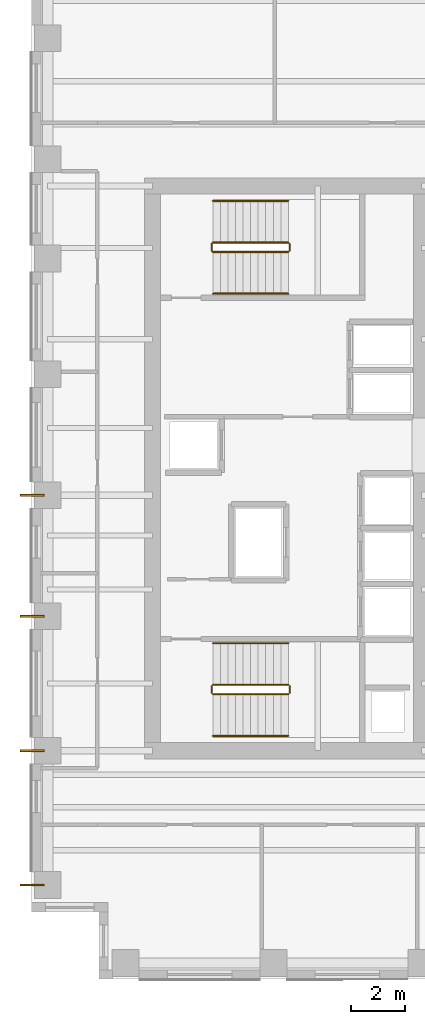
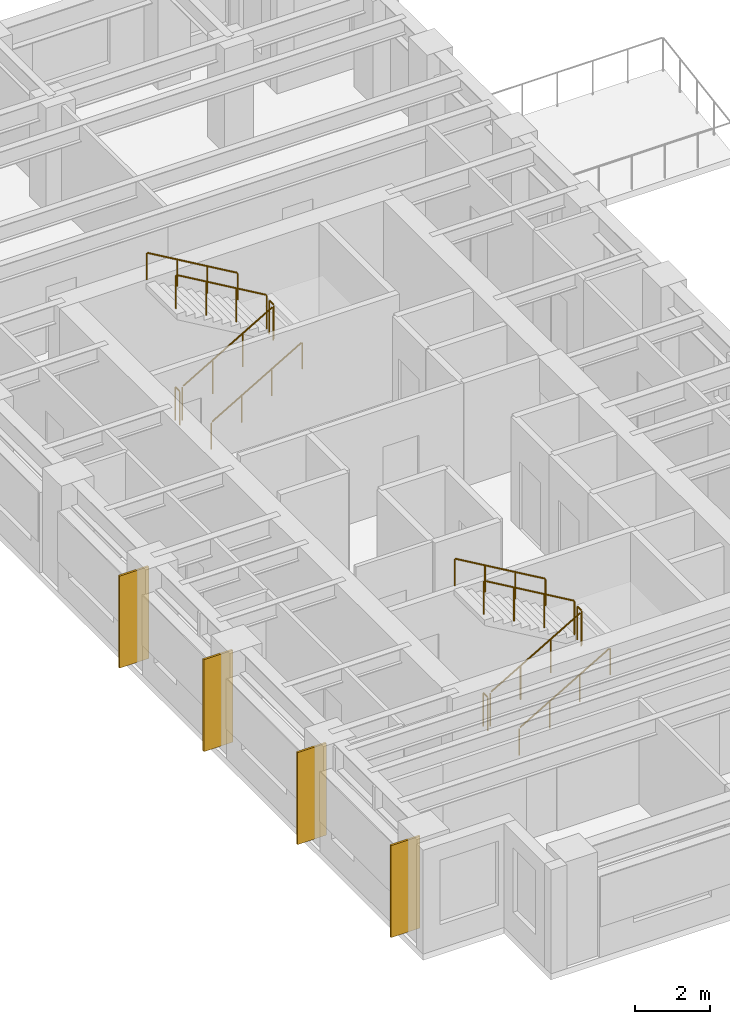
# One storey, part 9 of 10: 12 railings, 4 coverings.
"""IFC4 building model written with IfcOpenShell, lengths in metres."""

from ifc_helpers import new_model, si_unit, direction, frame, origin, origin_2d, place, context, subcontext, project, spatial, rectangle, circle, extrude, source, transform, mapped, material, layer, layer_set, type_object, element, save


model = new_model("IFC4")

# Units and contexts
model_context = context("Model", 3, precision=1e-05, world=origin(), true_north=direction((0.0, 1.0)))
body_context = subcontext(model_context, "Body", "Model", "MODEL_VIEW")
ifc_project = project(units=[si_unit("LENGTHUNIT", "METRE"), si_unit("AREAUNIT", "SQUARE_METRE"), si_unit("VOLUMEUNIT", "CUBIC_METRE"), si_unit("PLANEANGLEUNIT", "RADIAN"), si_unit("MASSUNIT", "GRAM", prefix="KILO")], contexts=[model_context])

# Site, building, storey
site_placement = place(None, origin())
site = spatial("IfcSite", under=ifc_project, at=site_placement, CompositionType="ELEMENT")
building_placement = place(site_placement, origin())
building = spatial("IfcBuilding", under=site, at=building_placement, Name="Kharzan Plaza Tower", CompositionType="ELEMENT")
storey_placement = place(building_placement, frame((0.0, 0.0, 157.5)))
storey = spatial("IfcBuildingStorey", under=building, at=storey_placement, Name="L42", CompositionType="ELEMENT", Elevation=157.5)

# Railings
ifc_material_1 = material(Name="Painted Galvanized Architectural Steel", Category="steel")
ifc_layer_1 = layer(ifc_material_1, 0.074951171875)
ifc_layer_set_1 = layer_set([ifc_layer_1], Name="Painted Galvanized Architectural Steel")
railing_type_1 = type_object("IfcRailingType", Name="RL-GUARD-1120", PredefinedType="BALUSTRADE", material=ifc_layer_set_1)
shared_shape_1 = source(origin(), body_context, "Body", "SweptSolid", [
    extrude(circle(Radius=0.02392578125, at=origin_2d()), frame((0.0, 0.0263671875, 1.09619140625), z_axis=(0.0, 1.0, 0.0), x_axis=(-1.0, 0.0, 0.0)), (0.0, 0.0, 1.0), 0.197021484375),
    extrude(circle(Radius=0.02099609375, at=origin_2d()), origin(), (0.0, 0.0, 1.0), 1.072021484375),
    extrude(circle(Radius=0.02099609375, at=origin_2d()), frame((0.0, 0.25, 0.0)), (0.0, 0.0, 1.0), 1.072021484375),
])
for number, where, name in (
    (1, (9.60009765625, 10.64990234375, 1.800048828125), "L42 ST-1 stair guard 2"),
    (2, (6.699951171875, 10.64990234375, 0.0), "L42 ST-1 stair guard 4"),
    (3, (9.60009765625, 27.10009765625, 1.800048828125), "L42 ST-2 stair guard 2"),
    (4, (6.699951171875, 27.10009765625, 0.0), "L42 ST-2 stair guard 4"),
):
    element("IfcRailing", number, at=place(storey_placement, frame(where)), inside=storey, type_object=railing_type_1, Name=name, PredefinedType="BALUSTRADE", context=body_context, shape_type="MappedRepresentation", body=[
        mapped(shared_shape_1, transform((0.0, 0.0, 0.0), x_axis=(1.0, 0.0, 0.0), y_axis=(0.0, 1.0, 0.0), z_axis=(0.0, 0.0, 1.0))),
    ])

# Coverings
ifc_material_2 = material(Name="Honed Riyadh Limestone", Category="masonry")
ifc_layer_2 = layer(ifc_material_2, 0.06005859375)
ifc_layer_set_2 = layer_set([ifc_layer_2], Name="Honed Riyadh Limestone")
covering_type = type_object("IfcCoveringType", Name="COV-CLAD-STONE", PredefinedType="CLADDING", material=ifc_layer_set_2)
shared_shape_2 = source(origin(), body_context, "Body", "SweptSolid", [
    extrude(rectangle(XDim=0.06005859375, YDim=0.89990234375, at=origin_2d()), origin(), (0.0, 0.0, 1.0), 3.0),
])
for number, where, z_axis, x_axis, name in (
    (5, (0.02001953125, 13.5, 0.10009765625), (0.0, 0.0, 1.0), (0.0, 1.0, 0.0), "L42 Limestone Pier Rainscreen Cladding TCW-135"),
    (6, (0.02001953125, 18.0, 0.10009765625), (0.0, 0.0, 1.0), (0.0, 1.0, 0.0), "L42 Limestone Pier Rainscreen Cladding TCW-180"),
    (7, (0.02001953125, 3.5, 0.10009765625), (0.0, 0.0, 1.0), (0.0, 1.0, 0.0), "L42 Limestone Pier Rainscreen Cladding TCW-35"),
    (8, (0.02001953125, 8.5, 0.10009765625), (0.0, 0.0, 1.0), (0.0, 1.0, 0.0), "L42 Limestone Pier Rainscreen Cladding TCW-85"),
):
    element("IfcCovering", number, at=place(storey_placement, frame(where, z_axis=z_axis, x_axis=x_axis)), inside=storey, type_object=covering_type, Name=name, PredefinedType="CLADDING", context=body_context, shape_type="MappedRepresentation", body=[
        mapped(shared_shape_2, transform((0.0, 0.0, 0.0), x_axis=(1.0, 0.0, 0.0), y_axis=(0.0, 1.0, 0.0), z_axis=(0.0, 0.0, 1.0))),
    ])

# Railings
shared_shape_3 = source(origin(), body_context, "Body", "SweptSolid", [
    extrude(circle(Radius=0.02392578125, at=origin_2d()), frame((0.02294921875, 0.0, 1.109375), z_axis=(0.863360870873, 0.0, 0.504586966384), x_axis=(0.0, 1.0, 0.0)), (0.0, 0.0, 1.0), 3.190185546875),
    extrude(circle(Radius=0.02099609375, at=origin_2d()), origin(), (0.0, 0.0, 1.0), 1.072021484375),
    extrude(circle(Radius=0.02099609375, at=origin_2d()), frame((0.933349609375, 0.0, 0.54541015625)), (0.0, 0.0, 1.0), 1.072021484375),
    extrude(circle(Radius=0.02099609375, at=origin_2d()), frame((1.86669921875, 0.0, 1.091064453125)), (0.0, 0.0, 1.0), 1.072021484375),
    extrude(circle(Radius=0.02099609375, at=origin_2d()), frame((2.800048828125, 0.0, 1.636474609375)), (0.0, 0.0, 1.0), 1.072021484375),
])
for number, where, name in (
    (9, (6.75, 10.60009765625, 0.16357421875), "L42 ST-1 stair guard 1"),
    (10, (6.75, 27.050048828125, 0.16357421875), "L42 ST-2 stair guard 1"),
):
    element("IfcRailing", number, at=place(storey_placement, frame(where)), inside=storey, type_object=railing_type_1, Name=name, PredefinedType="BALUSTRADE", context=body_context, shape_type="MappedRepresentation", body=[
        mapped(shared_shape_3, transform((0.0, 0.0, 0.0), x_axis=(1.0, 0.0, 0.0), y_axis=(0.0, 1.0, 0.0), z_axis=(0.0, 0.0, 1.0))),
    ])
shared_shape_4 = source(origin(), body_context, "Body", "SweptSolid", [
    extrude(circle(Radius=0.02392578125, at=origin_2d()), frame((-0.02294921875, 0.0, 1.109375), z_axis=(-0.863360870873, 0.0, 0.504586966384), x_axis=(0.0, -1.0, 0.0)), (0.0, 0.0, 1.0), 3.190185546875),
    extrude(circle(Radius=0.02099609375, at=origin_2d()), origin(), (0.0, 0.0, 1.0), 1.072021484375),
    extrude(circle(Radius=0.02099609375, at=origin_2d()), frame((-0.933349609375, 0.0, 0.54541015625)), (0.0, 0.0, 1.0), 1.072021484375),
    extrude(circle(Radius=0.02099609375, at=origin_2d()), frame((-1.86669921875, 0.0, 1.091064453125)), (0.0, 0.0, 1.0), 1.072021484375),
    extrude(circle(Radius=0.02099609375, at=origin_2d()), frame((-2.800048828125, 0.0, 1.636474609375)), (0.0, 0.0, 1.0), 1.072021484375),
])
for number, where, name in (
    (11, (9.550048828125, 10.949951171875, 1.963623046875), "L42 ST-1 stair guard 3"),
    (12, (9.550048828125, 27.39990234375, 1.963623046875), "L42 ST-2 stair guard 3"),
):
    element("IfcRailing", number, at=place(storey_placement, frame(where)), inside=storey, type_object=railing_type_1, Name=name, PredefinedType="BALUSTRADE", context=body_context, shape_type="MappedRepresentation", body=[
        mapped(shared_shape_4, transform((0.0, 0.0, 0.0), x_axis=(1.0, 0.0, 0.0), y_axis=(0.0, 1.0, 0.0), z_axis=(0.0, 0.0, 1.0))),
    ])
ifc_material_3 = material(Name="Brushed Stainless Steel", Category="steel")
ifc_layer_3 = layer(ifc_material_3, 0.050048828125)
ifc_layer_set_3 = layer_set([ifc_layer_3], Name="Brushed Stainless Steel")
railing_type_2 = type_object("IfcRailingType", Name="RL-STAIR-HR920", PredefinedType="HANDRAIL", material=ifc_layer_set_3)
shared_shape_5 = source(origin(), body_context, "Body", "SweptSolid", [
    extrude(circle(Radius=0.02392578125, at=origin_2d()), frame((0.02294921875, 0.0, 0.88916015625), z_axis=(0.863360870873, 0.0, 0.504586966384), x_axis=(0.0, 1.0, 0.0)), (0.0, 0.0, 1.0), 3.190185546875),
    extrude(circle(Radius=0.02099609375, at=origin_2d()), origin(), (0.0, 0.0, 1.0), 0.851806640625),
    extrude(circle(Radius=0.02099609375, at=origin_2d()), frame((0.933349609375, 0.0, 0.54541015625)), (0.0, 0.0, 1.0), 0.851806640625),
    extrude(circle(Radius=0.02099609375, at=origin_2d()), frame((1.86669921875, 0.0, 1.091064453125)), (0.0, 0.0, 1.0), 0.851806640625),
    extrude(circle(Radius=0.02099609375, at=origin_2d()), frame((2.800048828125, 0.0, 1.636474609375)), (0.0, 0.0, 1.0), 0.851806640625),
])
for number, where, name in (
    (13, (6.75, 9.050048828125, 0.16357421875), "L42 ST-1 stair handrail 1"),
    (14, (6.75, 25.5, 0.16357421875), "L42 ST-2 stair handrail 1"),
):
    element("IfcRailing", number, at=place(storey_placement, frame(where)), inside=storey, type_object=railing_type_2, Name=name, PredefinedType="HANDRAIL", context=body_context, shape_type="MappedRepresentation", body=[
        mapped(shared_shape_5, transform((0.0, 0.0, 0.0), x_axis=(1.0, 0.0, 0.0), y_axis=(0.0, 1.0, 0.0), z_axis=(0.0, 0.0, 1.0))),
    ])
shared_shape_6 = source(origin(), body_context, "Body", "SweptSolid", [
    extrude(circle(Radius=0.02392578125, at=origin_2d()), frame((-0.02294921875, 0.0, 0.88916015625), z_axis=(-0.863360870873, 0.0, 0.504586966384), x_axis=(0.0, -1.0, 0.0)), (0.0, 0.0, 1.0), 3.190185546875),
    extrude(circle(Radius=0.02099609375, at=origin_2d()), origin(), (0.0, 0.0, 1.0), 0.851806640625),
    extrude(circle(Radius=0.02099609375, at=origin_2d()), frame((-0.933349609375, 0.0, 0.54541015625)), (0.0, 0.0, 1.0), 0.851806640625),
    extrude(circle(Radius=0.02099609375, at=origin_2d()), frame((-1.86669921875, 0.0, 1.091064453125)), (0.0, 0.0, 1.0), 0.851806640625),
    extrude(circle(Radius=0.02099609375, at=origin_2d()), frame((-2.800048828125, 0.0, 1.636474609375)), (0.0, 0.0, 1.0), 0.851806640625),
])
for number, where, name in (
    (15, (9.550048828125, 12.5, 1.963623046875), "L42 ST-1 stair handrail 2"),
    (16, (9.550048828125, 28.949951171875, 1.963623046875), "L42 ST-2 stair handrail 2"),
):
    element("IfcRailing", number, at=place(storey_placement, frame(where)), inside=storey, type_object=railing_type_2, Name=name, PredefinedType="HANDRAIL", context=body_context, shape_type="MappedRepresentation", body=[
        mapped(shared_shape_6, transform((0.0, 0.0, 0.0), x_axis=(1.0, 0.0, 0.0), y_axis=(0.0, 1.0, 0.0), z_axis=(0.0, 0.0, 1.0))),
    ])

save(model, "model.ifc")
